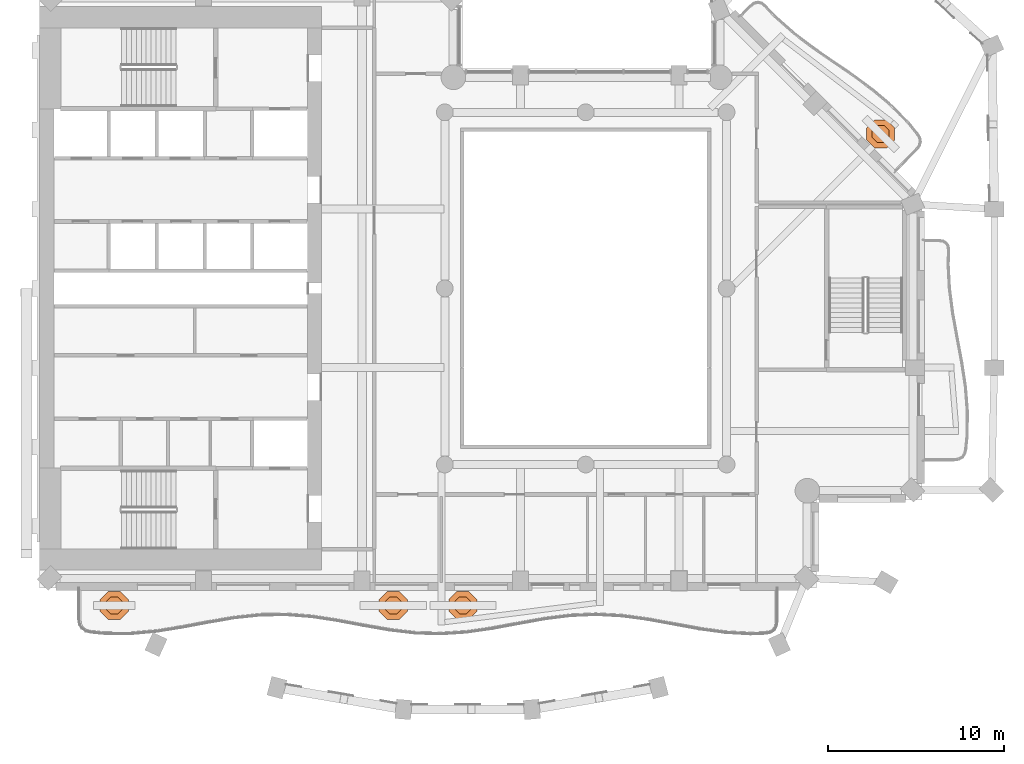
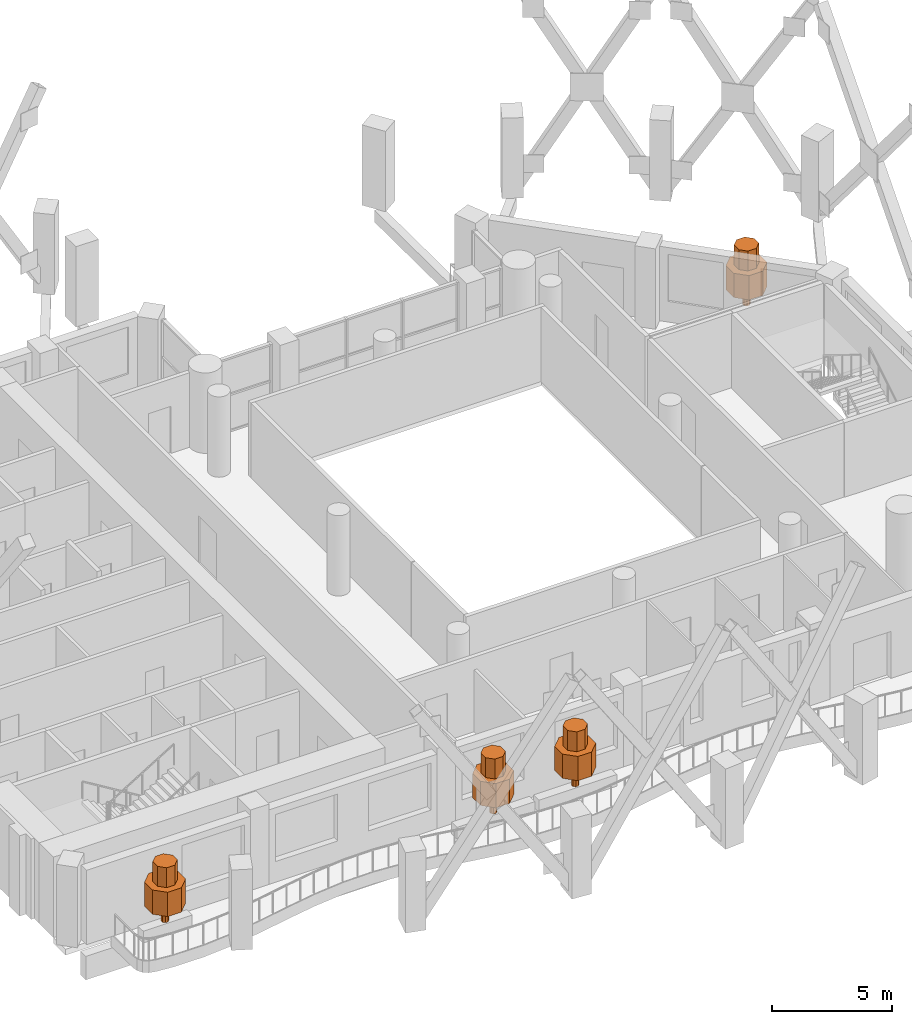
# One storey, part 17 of 17: 4 geographic elements.
"""IFC4 building model written with IfcOpenShell, lengths in metres."""

from ifc_helpers import new_model, si_unit, direction, frame, origin, place, context, subcontext, project, spatial, polyline, outline, extrude, material, type_object, element, save


model = new_model("IFC4")

# Units and contexts
model_context = context("Model", 3, precision=1e-05, world=origin(), true_north=direction((0.0, 1.0)))
body_context = subcontext(model_context, "Body", "Model", "MODEL_VIEW")
ifc_project = project(units=[si_unit("LENGTHUNIT", "METRE"), si_unit("AREAUNIT", "SQUARE_METRE"), si_unit("VOLUMEUNIT", "CUBIC_METRE"), si_unit("PLANEANGLEUNIT", "RADIAN"), si_unit("MASSUNIT", "GRAM", prefix="KILO")], contexts=[model_context])

# Site, building, storey
site_placement = place(None, origin())
site = spatial("IfcSite", under=ifc_project, at=site_placement, CompositionType="ELEMENT")
building_placement = place(site_placement, origin())
building = spatial("IfcBuilding", under=site, at=building_placement, Name="Cypress Arch Tower", CompositionType="ELEMENT")
storey_placement = place(building_placement, frame((0.0, 0.0, 217.89990234375)))
storey = spatial("IfcBuildingStorey", under=building, at=storey_placement, Name="L48", CompositionType="ELEMENT", Elevation=217.89990234375)

# Geographic elements
ifc_material = material(Name="Foliage and planting")
geographic_element_type = type_object("IfcGeographicElementType", Name="Balcony tree TR", PredefinedType="USERDEFINED", material=ifc_material)
for number, where, z_axis, x_axis, name in (
    (1, (-25.77001953125, -18.0, 0.60009765625), (0.0, 0.0, 1.0), (1.0, 0.0, 0.0), "Balcony tree L48-B01.1"),
    (2, (-9.929931640625, -18.0, 0.60009765625), (0.0, 0.0, 1.0), (1.0, 0.0, 0.0), "Balcony tree L48-B01.2"),
    (3, (-5.969970703125, -18.0, 0.60009765625), (0.0, 0.0, 1.0), (1.0, 0.0, 0.0), "Balcony tree L48-B01.3"),
    (4, (17.746337890625, 8.767822265625, 0.60009765625), (0.0, 0.0, 1.0), (1.0, 0.0, 0.0), "Balcony tree L48-B05.1"),
):
    element("IfcGeographicElement", number, at=place(storey_placement, frame(where, z_axis=z_axis, x_axis=x_axis)), inside=storey, type_object=geographic_element_type, Name=name, ObjectType="TREE", PredefinedType="USERDEFINED", context=body_context, shape_type="SweptSolid", body=[
        extrude(outline(polyline([(0.14990234375, 0.06201171875), (0.06201171875, 0.14990234375), (-0.06201171875, 0.14990234375), (-0.14990234375, 0.06201171875), (-0.14990234375, -0.06201171875), (-0.06201171875, -0.14990234375), (0.06201171875, -0.14990234375), (0.14990234375, -0.06201171875), (0.14990234375, 0.06201171875)])), origin(), (0.0, 0.0, 1.0), 0.89990234375),
        extrude(outline(polyline([(0.800048828125, 0.331298828125), (0.331298828125, 0.800048828125), (-0.331298828125, 0.800048828125), (-0.800048828125, 0.331298828125), (-0.800048828125, -0.331298828125), (-0.331298828125, -0.800048828125), (0.331298828125, -0.800048828125), (0.800048828125, -0.331298828125), (0.800048828125, 0.331298828125)])), frame((0.0, 0.0, 0.800048828125)), (0.0, 0.0, 1.0), 1.237548828125),
        extrude(outline(polyline([(0.47998046875, 0.19873046875), (0.19873046875, 0.47998046875), (-0.19873046875, 0.47998046875), (-0.47998046875, 0.19873046875), (-0.47998046875, -0.19873046875), (-0.19873046875, -0.47998046875), (0.19873046875, -0.47998046875), (0.47998046875, -0.19873046875), (0.47998046875, 0.19873046875)])), frame((0.0, 0.0, 2.03759765625)), (0.0, 0.0, 1.0), 1.012451171875),
    ])

save(model, "model.ifc")
